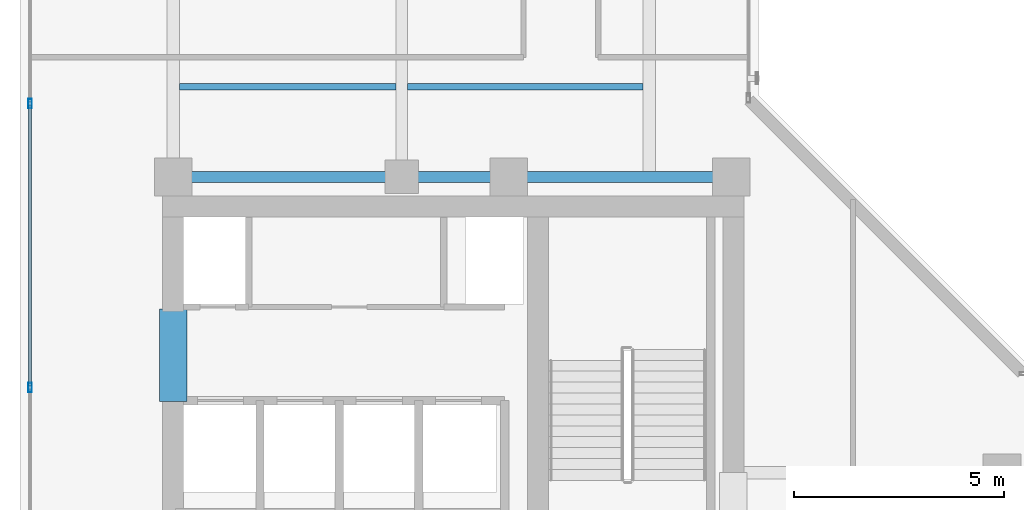
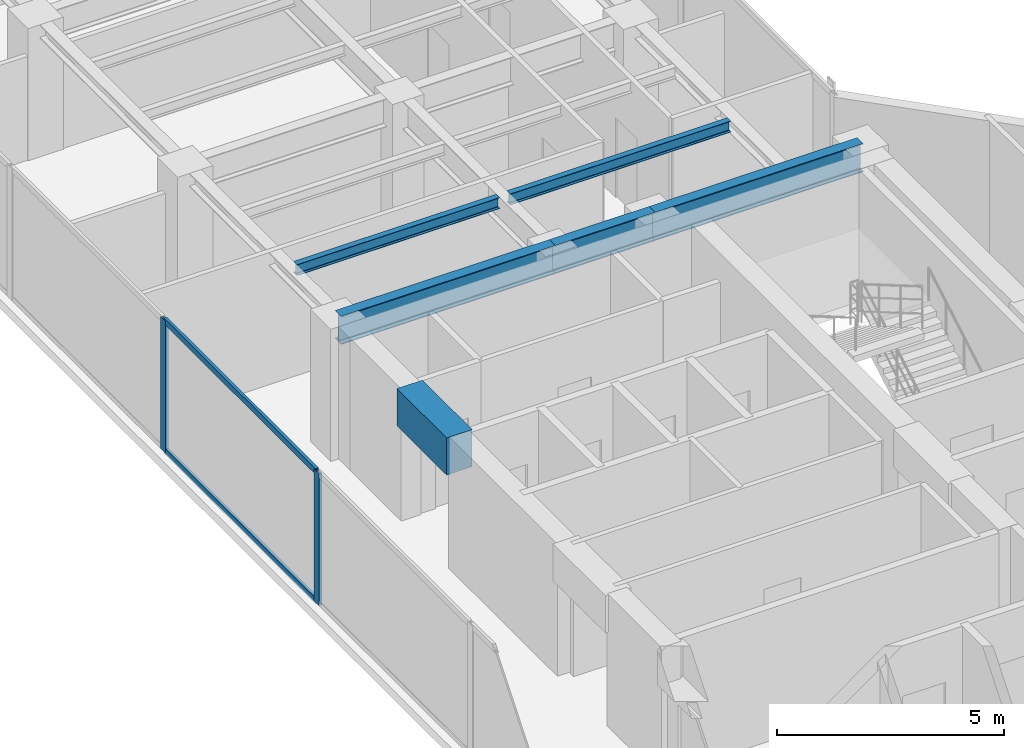
# One storey, part 7 of 22: 6 beams, 4 members, 1 element without a shape of its own.
"""IFC4 building model written with IfcOpenShell, lengths in metres."""

from ifc_helpers import new_model, si_unit, direction, frame, origin, origin_with_axes, origin_2d, place, context, subcontext, project, spatial, rectangle, hollow_rectangle, i_section, extrude, source, transform, mapped, material, layer, layer_set, material_profile, profile_set, type_object, element, aggregate, save


model = new_model("IFC4")

# Units and contexts
model_context = context("Model", 3, precision=1e-05, world=origin(), true_north=direction((0.0, 1.0)))
body_context = subcontext(model_context, "Body", "Model", "MODEL_VIEW")
ifc_project = project(units=[si_unit("LENGTHUNIT", "METRE"), si_unit("AREAUNIT", "SQUARE_METRE"), si_unit("VOLUMEUNIT", "CUBIC_METRE"), si_unit("PLANEANGLEUNIT", "RADIAN"), si_unit("MASSUNIT", "GRAM", prefix="KILO")], contexts=[model_context])

# Site, building, storey
site_placement = place(None, origin())
site = spatial("IfcSite", under=ifc_project, at=site_placement, CompositionType="ELEMENT")
building_placement = place(site_placement, origin())
building = spatial("IfcBuilding", under=site, at=building_placement, Name="Kolvaren Waterfront Exchange", CompositionType="ELEMENT")
storey_placement = place(building_placement, frame((0.0, 0.0, 262.800048828125)))
storey = spatial("IfcBuildingStorey", under=building, at=storey_placement, Name="L67", CompositionType="ELEMENT", Elevation=262.800048828125)

# Beams
ifc_material_1 = material(Name="Steel S355", Category="steel")
ifc_material_profile_1 = material_profile(ifc_material_1, i_section(OverallWidth=0.14990234375, OverallDepth=0.300048828125, WebThickness=0.007080078125, FlangeThickness=0.0107421875, FilletRadius=0.014892578125, at=origin_2d()), Name="IPE300")
ifc_profile_set_1 = profile_set([ifc_material_profile_1], Name="Steel S355")
beam_type_1 = type_object("IfcBeamType", Name="STR-BM-IPE300", PredefinedType="JOIST", material=ifc_profile_set_1)
beam_1_placement = place(storey_placement, frame((7.60205078125, 26.60009765625, 3.409912109375), z_axis=(1.0, 0.0, 0.0), x_axis=(0.0, 1.0, 0.0)))
element("IfcBeam", 1, at=beam_1_placement, inside=storey, type_object=beam_type_1, Name="L67 north-arm composite joist 1A", PredefinedType="JOIST", context=body_context, shape_type="SweptSolid", body=[
    extrude(i_section(OverallWidth=0.14990234375, OverallDepth=0.300048828125, WebThickness=0.007080078125, FlangeThickness=0.0107421875, FilletRadius=0.014892578125, at=origin_2d()), origin(), (0.0, 0.0, 1.0), 5.162353515625),
])
beam_2_placement = place(storey_placement, frame((13.035400390625, 26.60009765625, 3.409912109375), z_axis=(1.0, 0.0, 0.0), x_axis=(0.0, 1.0, 0.0)))
element("IfcBeam", 2, at=beam_2_placement, inside=storey, type_object=beam_type_1, Name="L67 north-arm composite joist 1B", PredefinedType="JOIST", context=body_context, shape_type="SweptSolid", body=[
    extrude(i_section(OverallWidth=0.14990234375, OverallDepth=0.300048828125, WebThickness=0.007080078125, FlangeThickness=0.0107421875, FilletRadius=0.014892578125, at=origin_2d()), origin(), (0.0, 0.0, 1.0), 5.612548828125),
])
ifc_material_profile_2 = material_profile(ifc_material_1, i_section(OverallWidth=0.26708984375, OverallDepth=0.761962890625, WebThickness=0.014404296875, FlangeThickness=0.021484375, FilletRadius=0.01708984375, at=origin_2d()), Name="IPE750x173")
ifc_profile_set_2 = profile_set([ifc_material_profile_2], Name="Steel S355")
beam_type_2 = type_object("IfcBeamType", Name="STR-BM-IPE750", PredefinedType="BEAM", material=ifc_profile_set_2)
beam_3_placement = place(storey_placement, frame((7.449951171875, 24.449951171875, 3.178955078125), z_axis=(1.0, 0.0, 0.0), x_axis=(0.0, 1.0, 0.0)))
element("IfcBeam", 3, at=beam_3_placement, inside=storey, type_object=beam_type_2, Name="L67 north-arm girder 1A", PredefinedType="BEAM", context=body_context, shape_type="SweptSolid", body=[
    extrude(i_section(OverallWidth=0.26708984375, OverallDepth=0.761962890625, WebThickness=0.014404296875, FlangeThickness=0.021484375, FilletRadius=0.01708984375, at=origin_2d()), origin(), (0.0, 0.0, 1.0), 5.449951171875),
])
beam_4_placement = place(storey_placement, frame((12.89990234375, 24.449951171875, 3.178955078125), z_axis=(1.0, 0.0, 0.0), x_axis=(0.0, 1.0, 0.0)))
element("IfcBeam", 4, at=beam_4_placement, inside=storey, type_object=beam_type_2, Name="L67 north-arm girder 1B", PredefinedType="BEAM", context=body_context, shape_type="SweptSolid", body=[
    extrude(i_section(OverallWidth=0.26708984375, OverallDepth=0.761962890625, WebThickness=0.014404296875, FlangeThickness=0.021484375, FilletRadius=0.01708984375, at=origin_2d()), origin(), (0.0, 0.0, 1.0), 2.550048828125),
])
beam_5_placement = place(storey_placement, frame((15.449951171875, 24.449951171875, 3.178955078125), z_axis=(1.0, 0.0, 0.0), x_axis=(0.0, 1.0, 0.0)))
element("IfcBeam", 5, at=beam_5_placement, inside=storey, type_object=beam_type_2, Name="L67 north-arm girder 1C", PredefinedType="BEAM", context=body_context, shape_type="SweptSolid", body=[
    extrude(i_section(OverallWidth=0.26708984375, OverallDepth=0.761962890625, WebThickness=0.014404296875, FlangeThickness=0.021484375, FilletRadius=0.01708984375, at=origin_2d()), origin(), (0.0, 0.0, 1.0), 5.300048828125),
])
ifc_material_2 = material(Name="Concrete C60/75", Category="concrete")
ifc_material_profile_3 = material_profile(ifc_material_2, rectangle(XDim=0.64990234375, YDim=1.0, at=origin_2d()), Name="RC-CB-1000x650")
ifc_profile_set_3 = profile_set([ifc_material_profile_3], Name="Concrete C60/75")
beam_type_3 = type_object("IfcBeamType", Name="STR-CB-1000", PredefinedType="SPANDREL", material=ifc_profile_set_3)
beam_6_placement = place(storey_placement, frame((7.449951171875, 19.10009765625, 3.06005859375), z_axis=(0.0, 1.0, 0.0), x_axis=(-1.0, 0.0, 0.0)))
element("IfcBeam", 6, at=beam_6_placement, inside=storey, type_object=beam_type_3, Name="L67 core coupling beam 5", PredefinedType="SPANDREL", context=body_context, shape_type="SweptSolid", body=[
    extrude(rectangle(XDim=0.64990234375, YDim=1.0, at=origin_2d()), origin(), (0.0, 0.0, 1.0), 2.199951171875),
])

# Curtain wall, members
ifc_material_3 = material(Name="Anodised aluminium 6063-T6", Category="aluminium")
ifc_layer = layer(ifc_material_3, 0.219970703125, Name="Anodised aluminium 6063-T6")
ifc_layer_set = layer_set([ifc_layer], Name="Anodised aluminium 6063-T6")
curtain_wall_type = type_object("IfcCurtainWallType", Name="ARC-CW-SYS2", PredefinedType="USERDEFINED", material=ifc_layer_set)
curtain_wall_placement = place(storey_placement, origin())
curtain_wall = element("IfcCurtainWall", 7, at=curtain_wall_placement, inside=storey, type_object=curtain_wall_type, Name="L67 stick curtain wall CW2 (CW-L67-W)", ObjectType="STICK CURTAIN WALL", PredefinedType="USERDEFINED")
ifc_material_profile_4 = material_profile(ifc_material_3, hollow_rectangle(XDim=0.080078125, YDim=0.219970703125, WallThickness=0.0048828125, at=origin_2d()), Name="ALU-MUL-220x80x5")
ifc_profile_set_4 = profile_set([ifc_material_profile_4], Name="Anodised aluminium 6063-T6")
member_type_1 = type_object("IfcMemberType", Name="ARC-CWM-220", PredefinedType="MULLION", material=ifc_profile_set_4)
shared_shape_1 = source(origin_with_axes(), body_context, "Body", "SweptSolid", [
    extrude(hollow_rectangle(XDim=0.080078125, YDim=0.219970703125, WallThickness=0.0048828125, at=origin_2d()), origin(), (0.0, 0.0, 1.0), 3.56005859375),
])
member_1_placement = place(storey_placement, frame((4.0400390625, 19.433349609375, 0.0), z_axis=(0.0, 0.0, 1.0), x_axis=(-1.0, 0.0, 0.0)))
member_1 = element("IfcMember", 8, at=member_1_placement, type_object=member_type_1, Name="CW2 mullion 3", PredefinedType="MULLION", context=body_context, shape_type="MappedRepresentation", body=[
    mapped(shared_shape_1, transform((0.0, 0.0, 0.0), x_axis=(1.0, 0.0, 0.0), y_axis=(0.0, 1.0, 0.0), z_axis=(0.0, 0.0, 1.0), scale=1.0)),
])
member_2_placement = place(storey_placement, frame((4.0400390625, 26.199951171875, 0.0), z_axis=(0.0, 0.0, 1.0), x_axis=(-1.0, 0.0, 0.0)))
member_2 = element("IfcMember", 9, at=member_2_placement, type_object=member_type_1, Name="CW2 mullion 4", PredefinedType="MULLION", context=body_context, shape_type="MappedRepresentation", body=[
    mapped(shared_shape_1, transform((0.0, 0.0, 0.0), x_axis=(1.0, 0.0, 0.0), y_axis=(0.0, 1.0, 0.0), z_axis=(0.0, 0.0, 1.0), scale=1.0)),
])
ifc_material_profile_5 = material_profile(ifc_material_3, hollow_rectangle(XDim=0.074951171875, YDim=0.159912109375, WallThickness=0.00439453125, at=origin_2d()), Name="ALU-TRN-160x75x4.5")
ifc_profile_set_5 = profile_set([ifc_material_profile_5], Name="Anodised aluminium 6063-T6")
member_type_2 = type_object("IfcMemberType", Name="ARC-CWT-160", PredefinedType="USERDEFINED", material=ifc_profile_set_5)
shared_shape_2 = source(origin_with_axes(), body_context, "Body", "SweptSolid", [
    extrude(hollow_rectangle(XDim=0.074951171875, YDim=0.159912109375, WallThickness=0.00439453125, at=origin_2d()), origin(), (0.0, 0.0, 1.0), 6.6865234375),
])
member_3_placement = place(storey_placement, frame((4.0400390625, 19.473388671875, 0.037353515625), z_axis=(0.0, 1.0, 0.0), x_axis=(-1.0, 0.0, 0.0)))
member_3 = element("IfcMember", 10, at=member_3_placement, type_object=member_type_2, Name="CW2 transom 3.1", ObjectType="TRANSOM", PredefinedType="USERDEFINED", context=body_context, shape_type="MappedRepresentation", body=[
    mapped(shared_shape_2, transform((0.0, 0.0, 0.0), x_axis=(1.0, 0.0, 0.0), y_axis=(0.0, 1.0, 0.0), z_axis=(0.0, 0.0, 1.0), scale=1.0)),
])
member_4_placement = place(storey_placement, frame((4.0400390625, 19.473388671875, 3.5224609375), z_axis=(0.0, 1.0, 0.0), x_axis=(-1.0, 0.0, 0.0)))
member_4 = element("IfcMember", 11, at=member_4_placement, type_object=member_type_2, Name="CW2 transom 3.2", ObjectType="TRANSOM", PredefinedType="USERDEFINED", context=body_context, shape_type="MappedRepresentation", body=[
    mapped(shared_shape_2, transform((0.0, 0.0, 0.0), x_axis=(1.0, 0.0, 0.0), y_axis=(0.0, 1.0, 0.0), z_axis=(0.0, 0.0, 1.0), scale=1.0)),
])
aggregate(curtain_wall, [member_1, member_2, member_3, member_4])

save(model, "model.ifc")
